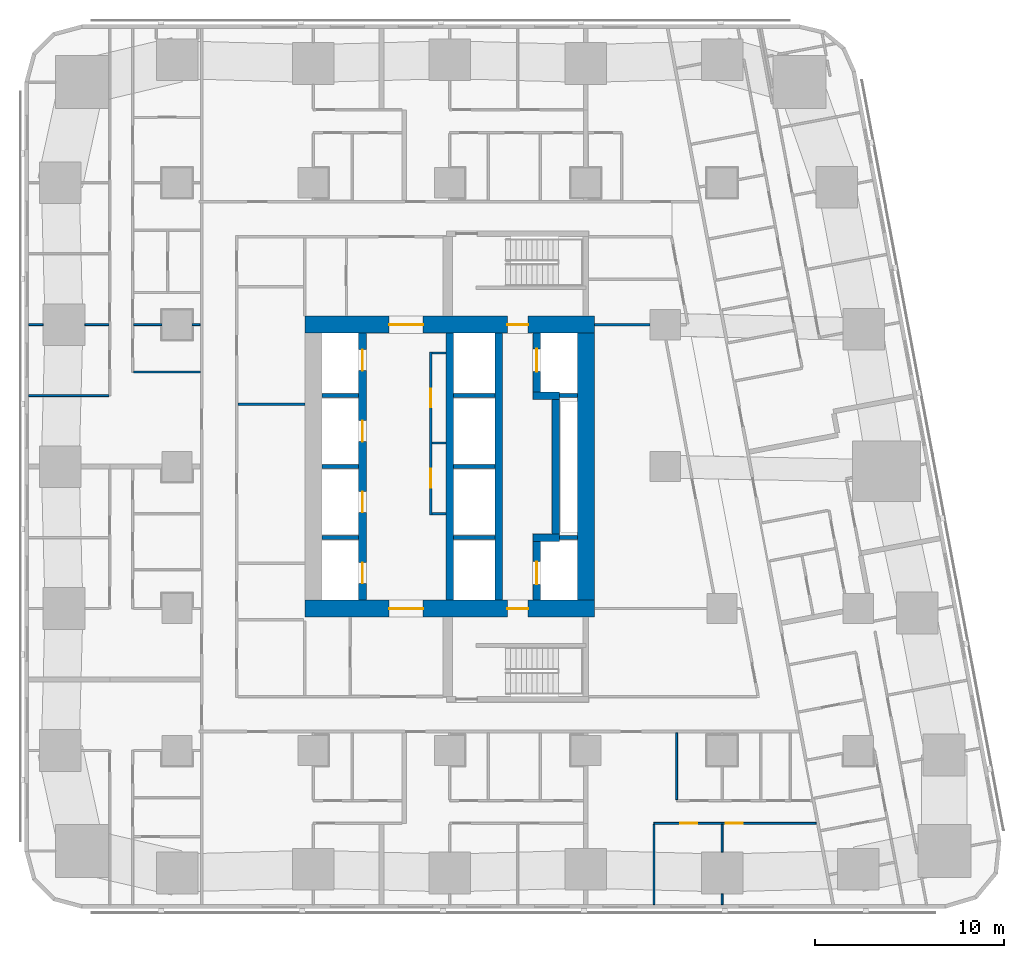
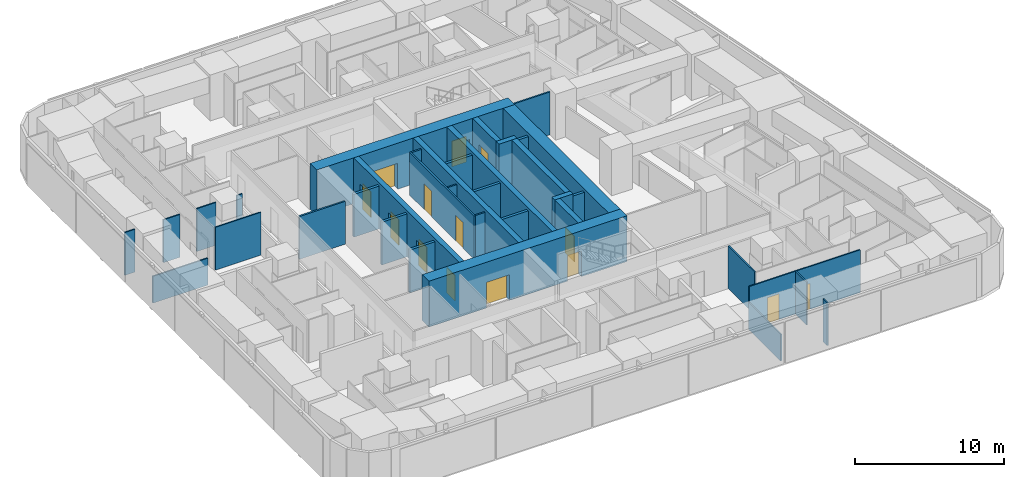
# One storey, part 6 of 17: 36 walls, 14 doors, 14 openings.
"""IFC4 building model written with IfcOpenShell, lengths in metres."""

from ifc_helpers import new_model, si_unit, direction, frame, frame_2d, origin, place, context, subcontext, project, spatial, rectangle, extrude, material, layer, layer_set, type_object, element, fill, save


model = new_model("IFC4")

# Units and contexts
model_context = context("Model", 3, precision=1e-05, world=origin(), true_north=direction((0.0, 1.0)))
body_context = subcontext(model_context, "Body", "Model", "MODEL_VIEW")
ifc_project = project(units=[si_unit("LENGTHUNIT", "METRE"), si_unit("AREAUNIT", "SQUARE_METRE"), si_unit("VOLUMEUNIT", "CUBIC_METRE"), si_unit("PLANEANGLEUNIT", "RADIAN"), si_unit("MASSUNIT", "GRAM", prefix="KILO")], contexts=[model_context])

# Site, building, storey
site_placement = place(None, origin())
site = spatial("IfcSite", under=ifc_project, at=site_placement, CompositionType="ELEMENT")
building_placement = place(site_placement, origin())
building = spatial("IfcBuilding", under=site, at=building_placement, Name="Sheger Commons Tower", CompositionType="ELEMENT")
storey_placement = place(building_placement, frame((0.0, 0.0, 111.64990234375)))
storey = spatial("IfcBuildingStorey", under=building, at=storey_placement, Name="L28", CompositionType="ELEMENT", Elevation=111.64990234375)

# Wall, openings, doors
ifc_material_1 = material(Name="Concrete C50/60", Category="concrete")
ifc_layer_1 = layer(ifc_material_1, 0.39990234375)
ifc_layer_set_1 = layer_set([ifc_layer_1], Name="CORE INNER WALL 400")
wall_type_1 = type_object("IfcWallType", Name="CORE INNER WALL 400", PredefinedType="SHEAR", material=ifc_layer_set_1)
wall_1_placement = place(storey_placement, frame((17.0, 15.449951171875, 0.0), z_axis=(0.0, 0.0, 1.0), x_axis=(0.0, 1.0, 0.0)))
wall_1 = element("IfcWall", 1, at=wall_1_placement, inside=storey, type_object=wall_type_1, Name="Core inner wall A L28", PredefinedType="SHEAR", context=body_context, shape_type="SweptSolid", body=[
    extrude(rectangle(XDim=14.10009765625, YDim=0.39990234375, at=frame_2d((7.050048828125, 0.0))), origin(), (0.0, 0.0, 1.0), 3.75),
])
opening_1_placement = place(wall_1_placement, frame((0.875, 0.0, 0.0)))
opening_1 = element("IfcOpeningElement", 2, at=opening_1_placement, cuts=wall_1, Name="Opening LD", PredefinedType="OPENING", context=body_context, shape_type="SweptSolid", body=[
    extrude(rectangle(XDim=1.10009765625, YDim=2.10009765625, at=frame_2d((0.550048828125, 1.050048828125))), frame((0.0, 0.2099609375, 0.0), z_axis=(0.0, -1.0, 0.0), x_axis=(1.0, 0.0, 0.0)), (0.0, 0.0, 1.0), 0.419921875),
])
opening_2_placement = place(wall_1_placement, frame((4.625, 0.0, 0.0)))
opening_2 = element("IfcOpeningElement", 3, at=opening_2_placement, cuts=wall_1, Name="Opening LD", PredefinedType="OPENING", context=body_context, shape_type="SweptSolid", body=[
    extrude(rectangle(XDim=1.10009765625, YDim=2.10009765625, at=frame_2d((0.550048828125, 1.050048828125))), frame((0.0, 0.2099609375, 0.0), z_axis=(0.0, -1.0, 0.0), x_axis=(1.0, 0.0, 0.0)), (0.0, 0.0, 1.0), 0.419921875),
])
opening_3_placement = place(wall_1_placement, frame((8.375, 0.0, 0.0)))
opening_3 = element("IfcOpeningElement", 4, at=opening_3_placement, cuts=wall_1, Name="Opening LD", PredefinedType="OPENING", context=body_context, shape_type="SweptSolid", body=[
    extrude(rectangle(XDim=1.10009765625, YDim=2.10009765625, at=frame_2d((0.550048828125, 1.050048828125))), frame((0.0, 0.2099609375, 0.0), z_axis=(0.0, -1.0, 0.0), x_axis=(1.0, 0.0, 0.0)), (0.0, 0.0, 1.0), 0.419921875),
])
opening_4_placement = place(wall_1_placement, frame((12.125, 0.0, 0.0)))
opening_4 = element("IfcOpeningElement", 5, at=opening_4_placement, cuts=wall_1, Name="Opening LD", PredefinedType="OPENING", context=body_context, shape_type="SweptSolid", body=[
    extrude(rectangle(XDim=1.10009765625, YDim=2.10009765625, at=frame_2d((0.550048828125, 1.050048828125))), frame((0.0, 0.2099609375, 0.0), z_axis=(0.0, -1.0, 0.0), x_axis=(1.0, 0.0, 0.0)), (0.0, 0.0, 1.0), 0.419921875),
])
ifc_material_2 = material(Name="Steel door set, fire rated", Category="steel")
door_type_1 = type_object("IfcDoorType", Name="LIFT LANDING DOOR 1100x2100", OperationType="DOUBLE_DOOR_SLIDING", PredefinedType="DOOR", material=ifc_material_2)
door_1_placement = place(opening_1_placement, origin())
door_1 = element("IfcDoor", 6, at=door_1_placement, inside=storey, type_object=door_type_1, Name="Lift LA1 landing door", OperationType="DOUBLE_DOOR_SLIDING", OverallHeight=2.10009765625, OverallWidth=1.10009765625, PredefinedType="DOOR", context=body_context, shape_type="SweptSolid", body=[
    extrude(rectangle(XDim=1.10009765625, YDim=2.10009765625, at=frame_2d((0.550048828125, 1.050048828125))), frame((0.0, 0.02490234375, 0.0), z_axis=(0.0, -1.0, 0.0), x_axis=(1.0, 0.0, 0.0)), (0.0, 0.0, 1.0), 0.050048828125),
])
fill(opening_1, door_1)
door_2_placement = place(opening_2_placement, origin())
door_2 = element("IfcDoor", 7, at=door_2_placement, inside=storey, type_object=door_type_1, Name="Lift LA2 landing door", OperationType="DOUBLE_DOOR_SLIDING", OverallHeight=2.10009765625, OverallWidth=1.10009765625, PredefinedType="DOOR", context=body_context, shape_type="SweptSolid", body=[
    extrude(rectangle(XDim=1.10009765625, YDim=2.10009765625, at=frame_2d((0.550048828125, 1.050048828125))), frame((0.0, 0.02490234375, 0.0), z_axis=(0.0, -1.0, 0.0), x_axis=(1.0, 0.0, 0.0)), (0.0, 0.0, 1.0), 0.050048828125),
])
fill(opening_2, door_2)
door_3_placement = place(opening_3_placement, origin())
door_3 = element("IfcDoor", 8, at=door_3_placement, inside=storey, type_object=door_type_1, Name="Lift LA3 landing door", OperationType="DOUBLE_DOOR_SLIDING", OverallHeight=2.10009765625, OverallWidth=1.10009765625, PredefinedType="DOOR", context=body_context, shape_type="SweptSolid", body=[
    extrude(rectangle(XDim=1.10009765625, YDim=2.10009765625, at=frame_2d((0.550048828125, 1.050048828125))), frame((0.0, 0.02490234375, 0.0), z_axis=(0.0, -1.0, 0.0), x_axis=(1.0, 0.0, 0.0)), (0.0, 0.0, 1.0), 0.050048828125),
])
fill(opening_3, door_3)
door_4_placement = place(opening_4_placement, origin())
door_4 = element("IfcDoor", 9, at=door_4_placement, inside=storey, type_object=door_type_1, Name="Lift LA4 landing door", OperationType="DOUBLE_DOOR_SLIDING", OverallHeight=2.10009765625, OverallWidth=1.10009765625, PredefinedType="DOOR", context=body_context, shape_type="SweptSolid", body=[
    extrude(rectangle(XDim=1.10009765625, YDim=2.10009765625, at=frame_2d((0.550048828125, 1.050048828125))), frame((0.0, 0.02490234375, 0.0), z_axis=(0.0, -1.0, 0.0), x_axis=(1.0, 0.0, 0.0)), (0.0, 0.0, 1.0), 0.050048828125),
])
fill(opening_4, door_4)

# Walls
for number, where, z_axis, x_axis, name in (
    (10, (21.60009765625, 15.449951171875, 0.0), (0.0, 0.0, 1.0), (0.0, 1.0, 0.0), "Core inner wall L L28"),
    (11, (24.199951171875, 15.449951171875, 0.0), (0.0, 0.0, 1.0), (0.0, 1.0, 0.0), "Core inner wall B L28"),
):
    element("IfcWall", number, at=place(storey_placement, frame(where, z_axis=z_axis, x_axis=x_axis)), inside=storey, type_object=wall_type_1, Name=name, PredefinedType="SHEAR", context=body_context, shape_type="SweptSolid", body=[
        extrude(rectangle(XDim=14.10009765625, YDim=0.39990234375, at=frame_2d((7.050048828125, 0.0))), origin(), (0.0, 0.0, 1.0), 3.75),
    ])

# Wall, opening, door
wall_2_placement = place(storey_placement, frame((26.199951171875, 15.449951171875, 0.0), z_axis=(0.0, 0.0, 1.0), x_axis=(0.0, 1.0, 0.0)))
wall_2 = element("IfcWall", 12, at=wall_2_placement, inside=storey, type_object=wall_type_1, Name="Core inner wall F L28", PredefinedType="SHEAR", context=body_context, shape_type="SweptSolid", body=[
    extrude(rectangle(XDim=3.10009765625, YDim=0.39990234375, at=frame_2d((1.550048828125, 0.0))), origin(), (0.0, 0.0, 1.0), 3.75),
])
opening_5_placement = place(wall_2_placement, frame((0.824951171875, 0.0, 0.0)))
opening_5 = element("IfcOpeningElement", 13, at=opening_5_placement, cuts=wall_2, Name="Opening LD2", PredefinedType="OPENING", context=body_context, shape_type="SweptSolid", body=[
    extrude(rectangle(XDim=1.199951171875, YDim=2.10009765625, at=frame_2d((0.60009765625, 1.050048828125))), frame((0.0, 0.2099609375, 0.0), z_axis=(0.0, -1.0, 0.0), x_axis=(1.0, 0.0, 0.0)), (0.0, 0.0, 1.0), 0.419921875),
])
ifc_material_3 = material(Name="Steel door set, fire rated", Category="steel")
door_type_2 = type_object("IfcDoorType", Name="FIREFIGHTING LIFT LANDING DOOR 1200x2100", OperationType="DOUBLE_DOOR_SLIDING", PredefinedType="DOOR", material=ifc_material_3)
door_5_placement = place(opening_5_placement, origin())
door_5 = element("IfcDoor", 14, at=door_5_placement, inside=storey, type_object=door_type_2, Name="Lift FL1 landing door", OperationType="DOUBLE_DOOR_SLIDING", OverallHeight=2.10009765625, OverallWidth=1.199951171875, PredefinedType="DOOR", context=body_context, shape_type="SweptSolid", body=[
    extrude(rectangle(XDim=1.199951171875, YDim=2.10009765625, at=frame_2d((0.60009765625, 1.050048828125))), frame((0.0, 0.02490234375, 0.0), z_axis=(0.0, -1.0, 0.0), x_axis=(1.0, 0.0, 0.0)), (0.0, 0.0, 1.0), 0.050048828125),
])
fill(opening_5, door_5)

# Walls
wall_3_placement = place(storey_placement, frame((26.0, 18.75, 0.0), z_axis=(0.0, 0.0, 1.0), x_axis=(1.0, 0.0, 0.0)))
element("IfcWall", 15, at=wall_3_placement, inside=storey, type_object=wall_type_1, Name="Core inner wall F south return L28", PredefinedType="SHEAR", context=body_context, shape_type="SweptSolid", body=[
    extrude(rectangle(XDim=1.39990234375, YDim=0.39990234375, at=frame_2d((0.699951171875, 0.0))), origin(), (0.0, 0.0, 1.0), 3.75),
])
wall_4_placement = place(storey_placement, frame((27.199951171875, 18.949951171875, 0.0), z_axis=(0.0, 0.0, 1.0), x_axis=(0.0, 1.0, 0.0)))
element("IfcWall", 16, at=wall_4_placement, inside=storey, type_object=wall_type_1, Name="Core inner wall F middle L28", PredefinedType="SHEAR", context=body_context, shape_type="SweptSolid", body=[
    extrude(rectangle(XDim=7.10009765625, YDim=0.39990234375, at=frame_2d((3.550048828125, 0.0))), origin(), (0.0, 0.0, 1.0), 3.75),
])
wall_5_placement = place(storey_placement, frame((26.0, 26.25, 0.0), z_axis=(0.0, 0.0, 1.0), x_axis=(1.0, 0.0, 0.0)))
element("IfcWall", 17, at=wall_5_placement, inside=storey, type_object=wall_type_1, Name="Core inner wall F north return L28", PredefinedType="SHEAR", context=body_context, shape_type="SweptSolid", body=[
    extrude(rectangle(XDim=1.39990234375, YDim=0.39990234375, at=frame_2d((0.699951171875, 0.0))), origin(), (0.0, 0.0, 1.0), 3.75),
])

# Wall, opening, door
wall_6_placement = place(storey_placement, frame((26.199951171875, 26.449951171875, 0.0), z_axis=(0.0, 0.0, 1.0), x_axis=(0.0, 1.0, 0.0)))
wall_6 = element("IfcWall", 18, at=wall_6_placement, inside=storey, type_object=wall_type_1, Name="Core inner wall F north L28", PredefinedType="SHEAR", context=body_context, shape_type="SweptSolid", body=[
    extrude(rectangle(XDim=3.10009765625, YDim=0.39990234375, at=frame_2d((1.550048828125, 0.0))), origin(), (0.0, 0.0, 1.0), 3.75),
])
opening_6_placement = place(wall_6_placement, frame((1.074951171875, 0.0, 0.0)))
opening_6 = element("IfcOpeningElement", 19, at=opening_6_placement, cuts=wall_6, Name="Opening LD2", PredefinedType="OPENING", context=body_context, shape_type="SweptSolid", body=[
    extrude(rectangle(XDim=1.199951171875, YDim=2.10009765625, at=frame_2d((0.60009765625, 1.050048828125))), frame((0.0, 0.2099609375, 0.0), z_axis=(0.0, -1.0, 0.0), x_axis=(1.0, 0.0, 0.0)), (0.0, 0.0, 1.0), 0.419921875),
])
door_6_placement = place(opening_6_placement, origin())
door_6 = element("IfcDoor", 20, at=door_6_placement, inside=storey, type_object=door_type_2, Name="Lift FL2 landing door", OperationType="DOUBLE_DOOR_SLIDING", OverallHeight=2.10009765625, OverallWidth=1.199951171875, PredefinedType="DOOR", context=body_context, shape_type="SweptSolid", body=[
    extrude(rectangle(XDim=1.199951171875, YDim=2.10009765625, at=frame_2d((0.60009765625, 1.050048828125))), frame((0.0, 0.02490234375, 0.0), z_axis=(0.0, -1.0, 0.0), x_axis=(1.0, 0.0, 0.0)), (0.0, 0.0, 1.0), 0.050048828125),
])
fill(opening_6, door_6)

# Wall, openings, doors
ifc_material_4 = material(Name="Concrete C50/60", Category="concrete")
ifc_layer_2 = layer(ifc_material_4, 0.89990234375)
ifc_layer_set_2 = layer_set([ifc_layer_2], Name="CORE WALL 900")
wall_type_2 = type_object("IfcWallType", Name="CORE WALL 900", PredefinedType="SHEAR", material=ifc_layer_set_2)
wall_7_placement = place(storey_placement, frame((13.949951171875, 15.0, 0.0), z_axis=(0.0, 0.0, 1.0), x_axis=(1.0, 0.0, 0.0)))
wall_7 = element("IfcWall", 21, at=wall_7_placement, inside=storey, type_object=wall_type_2, Name="Core wall south L28", PredefinedType="SHEAR", context=body_context, shape_type="SweptSolid", body=[
    extrude(rectangle(XDim=15.300048828125, YDim=0.89990234375, at=frame_2d((7.64990234375, 0.0))), origin(), (0.0, 0.0, 1.0), 3.75),
])
opening_7_placement = place(wall_7_placement, frame((4.449951171875, 0.0, 0.0)))
opening_7 = element("IfcOpeningElement", 22, at=opening_7_placement, cuts=wall_7, Name="Opening D6", PredefinedType="OPENING", context=body_context, shape_type="SweptSolid", body=[
    extrude(rectangle(XDim=1.800048828125, YDim=2.10009765625, at=frame_2d((0.89990234375, 1.050048828125))), frame((0.0, 0.4599609375, 0.0), z_axis=(0.0, -1.0, 0.0), x_axis=(1.0, 0.0, 0.0)), (0.0, 0.0, 1.0), 0.919921875),
])
opening_8_placement = place(wall_7_placement, frame((10.699951171875, 0.0, 0.0)))
opening_8 = element("IfcOpeningElement", 23, at=opening_8_placement, cuts=wall_7, Name="Opening D5", PredefinedType="OPENING", context=body_context, shape_type="SweptSolid", body=[
    extrude(rectangle(XDim=1.10009765625, YDim=2.10009765625, at=frame_2d((0.550048828125, 1.050048828125))), frame((0.0, 0.4599609375, 0.0), z_axis=(0.0, -1.0, 0.0), x_axis=(1.0, 0.0, 0.0)), (0.0, 0.0, 1.0), 0.919921875),
])
ifc_material_5 = material(Name="Steel door set, fire rated", Category="steel")
door_type_3 = type_object("IfcDoorType", Name="LOBBY DOUBLE DOOR 1800x2100", OperationType="DOUBLE_DOOR_SINGLE_SWING", PredefinedType="DOOR", material=ifc_material_5)
door_7_placement = place(opening_7_placement, origin())
door_7 = element("IfcDoor", 24, at=door_7_placement, inside=storey, type_object=door_type_3, Name="Lift lobby door", OperationType="DOUBLE_DOOR_SINGLE_SWING", OverallHeight=2.10009765625, OverallWidth=1.800048828125, PredefinedType="DOOR", context=body_context, shape_type="SweptSolid", body=[
    extrude(rectangle(XDim=1.800048828125, YDim=2.10009765625, at=frame_2d((0.89990234375, 1.050048828125))), frame((0.0, 0.02490234375, 0.0), z_axis=(0.0, -1.0, 0.0), x_axis=(1.0, 0.0, 0.0)), (0.0, 0.0, 1.0), 0.050048828125),
])
fill(opening_7, door_7)
ifc_material_6 = material(Name="Steel door set, fire rated", Category="steel")
door_type_4 = type_object("IfcDoorType", Name="STAIR DOOR 1100x2100", OperationType="NOTDEFINED", PredefinedType="DOOR", material=ifc_material_6)
door_8_placement = place(opening_8_placement, origin())
door_8 = element("IfcDoor", 25, at=door_8_placement, inside=storey, type_object=door_type_4, Name="Fire-fighting lobby door", OperationType="SINGLE_SWING_RIGHT", OverallHeight=2.10009765625, OverallWidth=1.10009765625, PredefinedType="DOOR", context=body_context, shape_type="SweptSolid", body=[
    extrude(rectangle(XDim=1.10009765625, YDim=2.10009765625, at=frame_2d((0.550048828125, 1.050048828125))), frame((0.0, 0.02490234375, 0.0), z_axis=(0.0, -1.0, 0.0), x_axis=(1.0, 0.0, 0.0)), (0.0, 0.0, 1.0), 0.050048828125),
])
fill(opening_8, door_8)

wall_8_placement = place(storey_placement, frame((13.949951171875, 30.0, 0.0), z_axis=(0.0, 0.0, 1.0), x_axis=(1.0, 0.0, 0.0)))
wall_8 = element("IfcWall", 26, at=wall_8_placement, inside=storey, type_object=wall_type_2, Name="Core wall north L28", PredefinedType="SHEAR", context=body_context, shape_type="SweptSolid", body=[
    extrude(rectangle(XDim=15.300048828125, YDim=0.89990234375, at=frame_2d((7.64990234375, 0.0))), origin(), (0.0, 0.0, 1.0), 3.75),
])
opening_9_placement = place(wall_8_placement, frame((4.449951171875, 0.0, 0.0)))
opening_9 = element("IfcOpeningElement", 27, at=opening_9_placement, cuts=wall_8, Name="Opening D6", PredefinedType="OPENING", context=body_context, shape_type="SweptSolid", body=[
    extrude(rectangle(XDim=1.800048828125, YDim=2.10009765625, at=frame_2d((0.89990234375, 1.050048828125))), frame((0.0, 0.4599609375, 0.0), z_axis=(0.0, -1.0, 0.0), x_axis=(1.0, 0.0, 0.0)), (0.0, 0.0, 1.0), 0.919921875),
])
opening_10_placement = place(wall_8_placement, frame((10.699951171875, 0.0, 0.0)))
opening_10 = element("IfcOpeningElement", 28, at=opening_10_placement, cuts=wall_8, Name="Opening D5", PredefinedType="OPENING", context=body_context, shape_type="SweptSolid", body=[
    extrude(rectangle(XDim=1.10009765625, YDim=2.10009765625, at=frame_2d((0.550048828125, 1.050048828125))), frame((0.0, 0.4599609375, 0.0), z_axis=(0.0, -1.0, 0.0), x_axis=(1.0, 0.0, 0.0)), (0.0, 0.0, 1.0), 0.919921875),
])
door_9_placement = place(opening_9_placement, origin())
door_9 = element("IfcDoor", 29, at=door_9_placement, inside=storey, type_object=door_type_3, Name="Lift lobby door", OperationType="DOUBLE_DOOR_SINGLE_SWING", OverallHeight=2.10009765625, OverallWidth=1.800048828125, PredefinedType="DOOR", context=body_context, shape_type="SweptSolid", body=[
    extrude(rectangle(XDim=1.800048828125, YDim=2.10009765625, at=frame_2d((0.89990234375, 1.050048828125))), frame((0.0, 0.02490234375, 0.0), z_axis=(0.0, -1.0, 0.0), x_axis=(1.0, 0.0, 0.0)), (0.0, 0.0, 1.0), 0.050048828125),
])
fill(opening_9, door_9)
door_10_placement = place(opening_10_placement, origin())
door_10 = element("IfcDoor", 30, at=door_10_placement, inside=storey, type_object=door_type_4, Name="Fire-fighting lobby door", OperationType="SINGLE_SWING_RIGHT", OverallHeight=2.10009765625, OverallWidth=1.10009765625, PredefinedType="DOOR", context=body_context, shape_type="SweptSolid", body=[
    extrude(rectangle(XDim=1.10009765625, YDim=2.10009765625, at=frame_2d((0.550048828125, 1.050048828125))), frame((0.0, 0.02490234375, 0.0), z_axis=(0.0, -1.0, 0.0), x_axis=(1.0, 0.0, 0.0)), (0.0, 0.0, 1.0), 0.050048828125),
])
fill(opening_10, door_10)

# Walls
wall_9_placement = place(storey_placement, frame((28.800048828125, 15.449951171875, 0.0), z_axis=(0.0, 0.0, 1.0), x_axis=(0.0, 1.0, 0.0)))
element("IfcWall", 31, at=wall_9_placement, inside=storey, type_object=wall_type_2, Name="Core wall east L28", PredefinedType="SHEAR", context=body_context, shape_type="SweptSolid", body=[
    extrude(rectangle(XDim=14.10009765625, YDim=0.89990234375, at=frame_2d((7.050048828125, 0.0))), origin(), (0.0, 0.0, 1.0), 3.75),
])
ifc_material_7 = material(Name="Gypsum board on steel studs", Category="steel")
ifc_layer_3 = layer(ifc_material_7, 0.10009765625)
ifc_layer_set_3 = layer_set([ifc_layer_3], Name="PARTITION 100")
wall_type_3 = type_object("IfcWallType", Name="PARTITION 100", PredefinedType="PARTITIONING", material=ifc_layer_set_3)
wall_10_placement = place(storey_placement, frame((-0.64990234375, 26.25, 0.0), z_axis=(0.0, 0.0, 1.0), x_axis=(1.0, 0.0, 0.0)))
element("IfcWall", 32, at=wall_10_placement, inside=storey, type_object=wall_type_3, Name="Partition L28", PredefinedType="PARTITIONING", context=body_context, shape_type="SweptSolid", body=[
    extrude(rectangle(XDim=4.25, YDim=0.10009765625, at=frame_2d((2.125, 0.0))), origin(), (0.0, 0.0, 1.0), 2.2001953125),
])
wall_11_placement = place(storey_placement, frame((-0.64990234375, 30.0, 0.0), z_axis=(0.0, 0.0, 1.0), x_axis=(1.0, 0.0, 0.0)))
element("IfcWall", 33, at=wall_11_placement, inside=storey, type_object=wall_type_3, Name="Partition L28", PredefinedType="PARTITIONING", context=body_context, shape_type="SweptSolid", body=[
    extrude(rectangle(XDim=0.77392578125, YDim=0.10009765625, at=frame_2d((0.386962890625, 0.0))), origin(), (0.0, 0.0, 1.0), 3.5),
])
wall_12_placement = place(storey_placement, frame((2.325927734375, 30.0, 0.0), z_axis=(0.0, 0.0, 1.0), x_axis=(1.0, 0.0, 0.0)))
element("IfcWall", 34, at=wall_12_placement, inside=storey, type_object=wall_type_3, Name="Partition L28", PredefinedType="PARTITIONING", context=body_context, shape_type="SweptSolid", body=[
    extrude(rectangle(XDim=1.274169921875, YDim=0.10009765625, at=frame_2d((0.63720703125, 0.0))), origin(), (0.0, 0.0, 1.0), 3.5),
])
wall_13_placement = place(storey_placement, frame((4.89990234375, 27.4990234375, 0.0), z_axis=(0.0, 0.0, 1.0), x_axis=(1.0, 0.0, 0.0)))
element("IfcWall", 35, at=wall_13_placement, inside=storey, type_object=wall_type_3, Name="Partition L28", PredefinedType="PARTITIONING", context=body_context, shape_type="SweptSolid", body=[
    extrude(rectangle(XDim=3.525146484375, YDim=0.10009765625, at=frame_2d((1.7626953125, 0.0))), origin(), (0.0, 0.0, 1.0), 3.5),
])
wall_14_placement = place(storey_placement, frame((4.89990234375, 30.0, 0.0), z_axis=(0.0, 0.0, 1.0), x_axis=(1.0, 0.0, 0.0)))
element("IfcWall", 36, at=wall_14_placement, inside=storey, type_object=wall_type_3, Name="Partition L28", PredefinedType="PARTITIONING", context=body_context, shape_type="SweptSolid", body=[
    extrude(rectangle(XDim=1.4990234375, YDim=0.10009765625, at=frame_2d((0.74951171875, 0.0))), origin(), (0.0, 0.0, 1.0), 3.5),
])
wall_15_placement = place(storey_placement, frame((8.0009765625, 30.0, 0.0), z_axis=(0.0, 0.0, 1.0), x_axis=(1.0, 0.0, 0.0)))
element("IfcWall", 37, at=wall_15_placement, inside=storey, type_object=wall_type_3, Name="Partition L28", PredefinedType="PARTITIONING", context=body_context, shape_type="SweptSolid", body=[
    extrude(rectangle(XDim=0.424072265625, YDim=0.10009765625, at=frame_2d((0.2119140625, 0.0))), origin(), (0.0, 0.0, 1.0), 3.5),
])

# Wall, openings, doors
wall_16_placement = place(storey_placement, frame((40.97412109375, 3.64990234375, 0.0), z_axis=(0.0, 0.0, 1.0), x_axis=(-1.0, 0.0, 0.0)))
wall_16 = element("IfcWall", 38, at=wall_16_placement, inside=storey, type_object=wall_type_3, Name="Partition L28", PredefinedType="PARTITIONING", context=body_context, shape_type="SweptSolid", body=[
    extrude(rectangle(XDim=8.57421875, YDim=0.10009765625, at=frame_2d((4.287109375, 0.0))), origin(), (0.0, 0.0, 1.0), 3.5),
])
opening_11_placement = place(wall_16_placement, frame((6.27490234375, 0.0, 0.0)))
opening_11 = element("IfcOpeningElement", 39, at=opening_11_placement, cuts=wall_16, Name="Opening D2", PredefinedType="OPENING", context=body_context, shape_type="SweptSolid", body=[
    extrude(rectangle(XDim=0.89990234375, YDim=2.10009765625, at=frame_2d((0.449951171875, 1.050048828125))), frame((0.0, 0.06005859375, 0.0), z_axis=(0.0, -1.0, 0.0), x_axis=(1.0, 0.0, 0.0)), (0.0, 0.0, 1.0), 0.1201171875),
])
opening_12_placement = place(wall_16_placement, frame((3.8740234375, 0.0, 0.0)))
opening_12 = element("IfcOpeningElement", 40, at=opening_12_placement, cuts=wall_16, Name="Opening D2", PredefinedType="OPENING", context=body_context, shape_type="SweptSolid", body=[
    extrude(rectangle(XDim=0.89990234375, YDim=2.10009765625, at=frame_2d((0.449951171875, 1.050048828125))), frame((0.0, 0.06005859375, 0.0), z_axis=(0.0, -1.0, 0.0), x_axis=(1.0, 0.0, 0.0)), (0.0, 0.0, 1.0), 0.1201171875),
])
ifc_material_8 = material(Name="Timber door set", Category="wood")
door_type_5 = type_object("IfcDoorType", Name="INTERNAL DOOR 900x2100", OperationType="NOTDEFINED", PredefinedType="DOOR", material=ifc_material_8)
door_11_placement = place(opening_11_placement, origin())
door_11 = element("IfcDoor", 41, at=door_11_placement, inside=storey, type_object=door_type_5, Name="Main bedroom door", OperationType="SINGLE_SWING_RIGHT", OverallHeight=2.10009765625, OverallWidth=0.89990234375, PredefinedType="DOOR", context=body_context, shape_type="SweptSolid", body=[
    extrude(rectangle(XDim=0.89990234375, YDim=2.10009765625, at=frame_2d((0.449951171875, 1.050048828125))), frame((0.0, 0.02490234375, 0.0), z_axis=(0.0, -1.0, 0.0), x_axis=(1.0, 0.0, 0.0)), (0.0, 0.0, 1.0), 0.050048828125),
])
fill(opening_11, door_11)
door_12_placement = place(opening_12_placement, origin())
door_12 = element("IfcDoor", 42, at=door_12_placement, inside=storey, type_object=door_type_5, Name="Bedroom 2 door", OperationType="SINGLE_SWING_RIGHT", OverallHeight=2.10009765625, OverallWidth=0.89990234375, PredefinedType="DOOR", context=body_context, shape_type="SweptSolid", body=[
    extrude(rectangle(XDim=0.89990234375, YDim=2.10009765625, at=frame_2d((0.449951171875, 1.050048828125))), frame((0.0, 0.02490234375, 0.0), z_axis=(0.0, -1.0, 0.0), x_axis=(1.0, 0.0, 0.0)), (0.0, 0.0, 1.0), 0.050048828125),
])
fill(opening_12, door_12)

# Walls
wall_17_placement = place(storey_placement, frame((32.39990234375, -0.64990234375, 0.0), z_axis=(0.0, 0.0, 1.0), x_axis=(0.0, 1.0, 0.0)))
element("IfcWall", 43, at=wall_17_placement, inside=storey, type_object=wall_type_3, Name="Partition L28", PredefinedType="PARTITIONING", context=body_context, shape_type="SweptSolid", body=[
    extrude(rectangle(XDim=4.25, YDim=0.10009765625, at=frame_2d((2.125, 0.0))), origin(), (0.0, 0.0, 1.0), 2.2001953125),
])
wall_18_placement = place(storey_placement, frame((36.0, -0.64990234375, 0.0), z_axis=(0.0, 0.0, 1.0), x_axis=(0.0, 1.0, 0.0)))
element("IfcWall", 44, at=wall_18_placement, inside=storey, type_object=wall_type_3, Name="Partition L28", PredefinedType="PARTITIONING", context=body_context, shape_type="SweptSolid", body=[
    extrude(rectangle(XDim=0.573974609375, YDim=0.10009765625, at=frame_2d((0.287109375, 0.0))), origin(), (0.0, 0.0, 1.0), 3.5),
])
wall_19_placement = place(storey_placement, frame((36.0, 2.1259765625, 0.0), z_axis=(0.0, 0.0, 1.0), x_axis=(0.0, 1.0, 0.0)))
element("IfcWall", 45, at=wall_19_placement, inside=storey, type_object=wall_type_3, Name="Partition L28", PredefinedType="PARTITIONING", context=body_context, shape_type="SweptSolid", body=[
    extrude(rectangle(XDim=1.47412109375, YDim=0.10009765625, at=frame_2d((0.737060546875, 0.0))), origin(), (0.0, 0.0, 1.0), 3.5),
])
wall_20_placement = place(storey_placement, frame((33.59912109375, 4.89990234375, 0.0), z_axis=(0.0, 0.0, 1.0), x_axis=(0.0, 1.0, 0.0)))
element("IfcWall", 46, at=wall_20_placement, inside=storey, type_object=wall_type_3, Name="Partition L28", PredefinedType="PARTITIONING", context=body_context, shape_type="SweptSolid", body=[
    extrude(rectangle(XDim=3.525146484375, YDim=0.10009765625, at=frame_2d((1.7626953125, 0.0))), origin(), (0.0, 0.0, 1.0), 3.5),
])
ifc_material_9 = material(Name="Gypsum board on steel studs, two layers each side, fire rated", Category="steel")
ifc_layer_4 = layer(ifc_material_9, 0.125)
ifc_layer_set_4 = layer_set([ifc_layer_4], Name="SERVICE WALL 125")
wall_type_4 = type_object("IfcWallType", Name="SERVICE WALL 125", PredefinedType="PARTITIONING", material=ifc_layer_set_4)
wall_21_placement = place(storey_placement, frame((10.4130859375, 25.800048828125, 0.0), z_axis=(0.0, 0.0, 1.0), x_axis=(1.0, 0.0, 0.0)))
element("IfcWall", 47, at=wall_21_placement, inside=storey, type_object=wall_type_4, Name="Service room wall L28", PredefinedType="PARTITIONING", context=body_context, shape_type="SweptSolid", body=[
    extrude(rectangle(XDim=3.536865234375, YDim=0.125, at=frame_2d((1.7685546875, 0.0))), origin(), (0.0, 0.0, 1.0), 3.5),
])
wall_22_placement = place(storey_placement, frame((29.25, 30.0, 0.0), z_axis=(0.0, 0.0, 1.0), x_axis=(1.0, 0.0, 0.0)))
element("IfcWall", 48, at=wall_22_placement, inside=storey, type_object=wall_type_4, Name="Service room wall L28", PredefinedType="PARTITIONING", context=body_context, shape_type="SweptSolid", body=[
    extrude(rectangle(XDim=2.948974609375, YDim=0.125, at=frame_2d((1.474609375, 0.0))), origin(), (0.0, 0.0, 1.0), 3.5),
])

# Wall, openings, doors
wall_23_placement = place(storey_placement, frame((20.60009765625, 19.93798828125, 0.0), z_axis=(0.0, 0.0, 1.0), x_axis=(0.0, 1.0, 0.0)))
wall_23 = element("IfcWall", 49, at=wall_23_placement, inside=storey, type_object=wall_type_4, Name="Service room wall L28", PredefinedType="PARTITIONING", context=body_context, shape_type="SweptSolid", body=[
    extrude(rectangle(XDim=8.6240234375, YDim=0.125, at=frame_2d((4.31201171875, 0.0))), origin(), (0.0, 0.0, 1.0), 3.5),
])
opening_13_placement = place(wall_23_placement, frame((1.43701171875, 0.0, 0.0)))
opening_13 = element("IfcOpeningElement", 50, at=opening_13_placement, cuts=wall_23, Name="Opening D4", PredefinedType="OPENING", context=body_context, shape_type="SweptSolid", body=[
    extrude(rectangle(XDim=1.0, YDim=2.10009765625, at=frame_2d((0.5, 1.050048828125))), frame((0.0, 0.072509765625, 0.0), z_axis=(0.0, -1.0, 0.0), x_axis=(1.0, 0.0, 0.0)), (0.0, 0.0, 1.0), 0.14501953125),
])
opening_14_placement = place(wall_23_placement, frame((5.68701171875, 0.0, 0.0)))
opening_14 = element("IfcOpeningElement", 51, at=opening_14_placement, cuts=wall_23, Name="Opening D4", PredefinedType="OPENING", context=body_context, shape_type="SweptSolid", body=[
    extrude(rectangle(XDim=1.0, YDim=2.10009765625, at=frame_2d((0.5, 1.050048828125))), frame((0.0, 0.072509765625, 0.0), z_axis=(0.0, -1.0, 0.0), x_axis=(1.0, 0.0, 0.0)), (0.0, 0.0, 1.0), 0.14501953125),
])
ifc_material_10 = material(Name="Steel door set, fire rated", Category="steel")
door_type_6 = type_object("IfcDoorType", Name="SERVICE DOOR 1000x2100", OperationType="NOTDEFINED", PredefinedType="DOOR", material=ifc_material_10)
door_13_placement = place(opening_13_placement, origin())
door_13 = element("IfcDoor", 52, at=door_13_placement, inside=storey, type_object=door_type_6, Name="Water meter cupboard door", OperationType="SINGLE_SWING_LEFT", OverallHeight=2.10009765625, OverallWidth=1.0, PredefinedType="DOOR", context=body_context, shape_type="SweptSolid", body=[
    extrude(rectangle(XDim=1.0, YDim=2.10009765625, at=frame_2d((0.5, 1.050048828125))), frame((0.0, 0.02490234375, 0.0), z_axis=(0.0, -1.0, 0.0), x_axis=(1.0, 0.0, 0.0)), (0.0, 0.0, 1.0), 0.050048828125),
])
fill(opening_13, door_13)
door_14_placement = place(opening_14_placement, origin())
door_14 = element("IfcDoor", 53, at=door_14_placement, inside=storey, type_object=door_type_6, Name="Linen cupboard door", OperationType="SINGLE_SWING_RIGHT", OverallHeight=2.10009765625, OverallWidth=1.0, PredefinedType="DOOR", context=body_context, shape_type="SweptSolid", body=[
    extrude(rectangle(XDim=1.0, YDim=2.10009765625, at=frame_2d((0.5, 1.050048828125))), frame((0.0, 0.02490234375, 0.0), z_axis=(0.0, -1.0, 0.0), x_axis=(1.0, 0.0, 0.0)), (0.0, 0.0, 1.0), 0.050048828125),
])
fill(opening_14, door_14)

# Walls
for number, where, z_axis, x_axis, name in (
    (54, (20.6630859375, 20.0, 0.0), (0.0, 0.0, 1.0), (1.0, 0.0, 0.0), "Service room wall L28"),
    (55, (20.6630859375, 28.5, 0.0), (0.0, 0.0, 1.0), (1.0, 0.0, 0.0), "Service room wall L28"),
    (56, (20.6630859375, 23.75, 0.0), (0.0, 0.0, 1.0), (1.0, 0.0, 0.0), "Service room wall L28"),
):
    element("IfcWall", number, at=place(storey_placement, frame(where, z_axis=z_axis, x_axis=x_axis)), inside=storey, type_object=wall_type_4, Name=name, PredefinedType="PARTITIONING", context=body_context, shape_type="SweptSolid", body=[
        extrude(rectangle(XDim=0.73681640625, YDim=0.125, at=frame_2d((0.368408203125, 0.0))), origin(), (0.0, 0.0, 1.0), 3.5),
    ])
ifc_material_11 = material(Name="Hollow concrete block masonry", Category="masonry")
ifc_layer_5 = layer(ifc_material_11, 0.199951171875)
ifc_layer_set_5 = layer_set([ifc_layer_5], Name="SHAFT WALL 200")
wall_type_5 = type_object("IfcWallType", Name="SHAFT WALL 200", PredefinedType="SOLIDWALL", material=ifc_layer_set_5)
wall_24_placement = place(storey_placement, frame((14.85009765625, 18.75, 0.0), z_axis=(0.0, 0.0, 1.0), x_axis=(1.0, 0.0, 0.0)))
element("IfcWall", 57, at=wall_24_placement, inside=storey, type_object=wall_type_5, Name="Lift shaft wall L28", PredefinedType="SOLIDWALL", context=body_context, shape_type="SweptSolid", body=[
    extrude(rectangle(XDim=1.949951171875, YDim=0.199951171875, at=frame_2d((0.97509765625, 0.0))), origin(), (0.0, 0.0, 1.0), 3.5),
])
wall_25_placement = place(storey_placement, frame((21.800048828125, 18.75, 0.0), z_axis=(0.0, 0.0, 1.0), x_axis=(1.0, 0.0, 0.0)))
element("IfcWall", 58, at=wall_25_placement, inside=storey, type_object=wall_type_5, Name="Lift shaft wall L28", PredefinedType="SOLIDWALL", context=body_context, shape_type="SweptSolid", body=[
    extrude(rectangle(XDim=2.199951171875, YDim=0.199951171875, at=frame_2d((1.10009765625, 0.0))), origin(), (0.0, 0.0, 1.0), 3.5),
])
wall_26_placement = place(storey_placement, frame((14.85009765625, 22.5, 0.0), z_axis=(0.0, 0.0, 1.0), x_axis=(1.0, 0.0, 0.0)))
element("IfcWall", 59, at=wall_26_placement, inside=storey, type_object=wall_type_5, Name="Lift shaft wall L28", PredefinedType="SOLIDWALL", context=body_context, shape_type="SweptSolid", body=[
    extrude(rectangle(XDim=1.949951171875, YDim=0.199951171875, at=frame_2d((0.97509765625, 0.0))), origin(), (0.0, 0.0, 1.0), 3.5),
])
wall_27_placement = place(storey_placement, frame((21.800048828125, 22.5, 0.0), z_axis=(0.0, 0.0, 1.0), x_axis=(1.0, 0.0, 0.0)))
element("IfcWall", 60, at=wall_27_placement, inside=storey, type_object=wall_type_5, Name="Lift shaft wall L28", PredefinedType="SOLIDWALL", context=body_context, shape_type="SweptSolid", body=[
    extrude(rectangle(XDim=2.199951171875, YDim=0.199951171875, at=frame_2d((1.10009765625, 0.0))), origin(), (0.0, 0.0, 1.0), 3.5),
])
wall_28_placement = place(storey_placement, frame((14.85009765625, 26.25, 0.0), z_axis=(0.0, 0.0, 1.0), x_axis=(1.0, 0.0, 0.0)))
element("IfcWall", 61, at=wall_28_placement, inside=storey, type_object=wall_type_5, Name="Lift shaft wall L28", PredefinedType="SOLIDWALL", context=body_context, shape_type="SweptSolid", body=[
    extrude(rectangle(XDim=1.949951171875, YDim=0.199951171875, at=frame_2d((0.97509765625, 0.0))), origin(), (0.0, 0.0, 1.0), 3.5),
])
wall_29_placement = place(storey_placement, frame((21.800048828125, 26.25, 0.0), z_axis=(0.0, 0.0, 1.0), x_axis=(1.0, 0.0, 0.0)))
element("IfcWall", 62, at=wall_29_placement, inside=storey, type_object=wall_type_5, Name="Lift shaft wall L28", PredefinedType="SOLIDWALL", context=body_context, shape_type="SweptSolid", body=[
    extrude(rectangle(XDim=2.199951171875, YDim=0.199951171875, at=frame_2d((1.10009765625, 0.0))), origin(), (0.0, 0.0, 1.0), 3.5),
])
for number, where, z_axis, x_axis, name in (
    (63, (27.39990234375, 18.75, 0.0), (0.0, 0.0, 1.0), (1.0, 0.0, 0.0), "Lift shaft wall L28"),
    (64, (27.39990234375, 26.25, 0.0), (0.0, 0.0, 1.0), (1.0, 0.0, 0.0), "Lift shaft wall L28"),
):
    element("IfcWall", number, at=place(storey_placement, frame(where, z_axis=z_axis, x_axis=x_axis)), inside=storey, type_object=wall_type_5, Name=name, PredefinedType="SOLIDWALL", context=body_context, shape_type="SweptSolid", body=[
        extrude(rectangle(XDim=0.9501953125, YDim=0.199951171875, at=frame_2d((0.47509765625, 0.0))), origin(), (0.0, 0.0, 1.0), 3.5),
    ])

save(model, "model.ifc")
